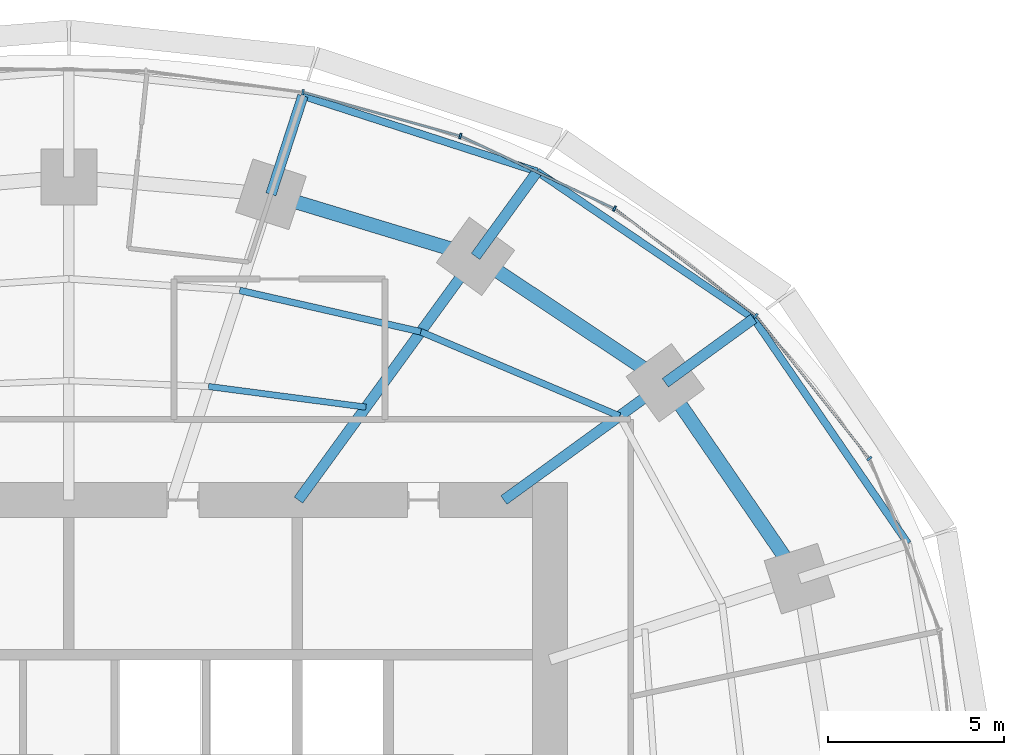
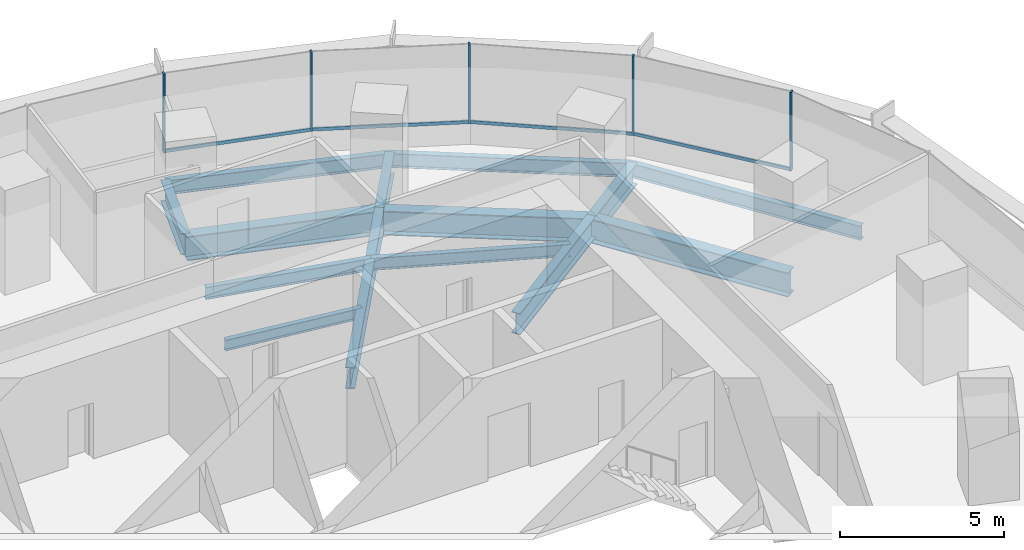
# One storey, part 8 of 14: 14 beams, 9 members, 2 elements without a shape of their own.
"""IFC4 building model written with IfcOpenShell, lengths in metres."""

from ifc_helpers import new_model, si_unit, direction, frame, origin, origin_2d, place, context, subcontext, project, spatial, rectangle, i_section, extrude, material, material_profile, profile_set, type_object, element, aggregate, save


model = new_model("IFC4")

# Units and contexts
model_context = context("Model", 3, precision=1e-05, world=origin(), true_north=direction((0.0, 1.0)))
body_context = subcontext(model_context, "Body", "Model", "MODEL_VIEW")
ifc_project = project(units=[si_unit("LENGTHUNIT", "METRE"), si_unit("AREAUNIT", "SQUARE_METRE"), si_unit("VOLUMEUNIT", "CUBIC_METRE"), si_unit("PLANEANGLEUNIT", "RADIAN"), si_unit("MASSUNIT", "GRAM", prefix="KILO")], contexts=[model_context])

# Site, building, storey
site_placement = place(None, origin())
site = spatial("IfcSite", under=ifc_project, at=site_placement, CompositionType="ELEMENT")
building_placement = place(site_placement, origin())
building = spatial("IfcBuilding", under=site, at=building_placement, Name="Marramba Exchange Tower", CompositionType="ELEMENT")
storey_placement = place(building_placement, frame((0.0, 0.0, 108.0)))
storey = spatial("IfcBuildingStorey", under=building, at=storey_placement, Name="L25", CompositionType="ELEMENT", Elevation=108.0)

# Beams
ifc_material_1 = material(Name="Steel AS/NZS 3679.2 grade 300", Category="steel")
ifc_material_profile_1 = material_profile(ifc_material_1, i_section(OverallWidth=0.300048828125, OverallDepth=0.800048828125, WebThickness=0.013916015625, FlangeThickness=0.031982421875, at=origin_2d()), Name="800WB192")
ifc_profile_set_1 = profile_set([ifc_material_profile_1], Name="Steel AS/NZS 3679.2 grade 300")
beam_type_1 = type_object("IfcBeamType", Name="Cantilever girder 800WB192", PredefinedType="BEAM", material=ifc_profile_set_1)
beam_1_placement = place(storey_placement, frame((16.98583984375, 12.3408203125, -0.56005859375), z_axis=(0.809013970709, 0.58778941399, 0.0), x_axis=(-0.58778941399, 0.809013970709, 0.0)))
element("IfcBeam", 1, at=beam_1_placement, inside=storey, type_object=beam_type_1, Name="Cantilever girder L25 TC03", PredefinedType="BEAM", context=body_context, shape_type="SweptSolid", body=[
    extrude(i_section(OverallWidth=0.300048828125, OverallDepth=0.800048828125, WebThickness=0.013916015625, FlangeThickness=0.031982421875, at=origin_2d()), origin(), (0.0, 0.0, 1.0), 3.1142578125),
])
beam_2_placement = place(storey_placement, frame((11.581298828125, 15.9404296875, -0.56005859375), z_axis=(0.587821738214, 0.808990484544, 0.0), x_axis=(-0.808990484544, 0.587821738214, 0.0)))
element("IfcBeam", 2, at=beam_2_placement, inside=storey, type_object=beam_type_1, Name="Cantilever girder L25 TC04", PredefinedType="BEAM", context=body_context, shape_type="SweptSolid", body=[
    extrude(i_section(OverallWidth=0.300048828125, OverallDepth=0.800048828125, WebThickness=0.013916015625, FlangeThickness=0.031982421875, at=origin_2d()), origin(), (0.0, 0.0, 1.0), 2.987060546875),
])
beam_3_placement = place(storey_placement, frame((5.75390625, 17.70849609375, -0.56005859375), z_axis=(0.309018704887, 0.951055960514, 0.0), x_axis=(-0.951055960514, 0.309018704887, 0.0)))
element("IfcBeam", 3, at=beam_3_placement, inside=storey, type_object=beam_type_1, Name="Cantilever girder L25 TC05", PredefinedType="BEAM", context=body_context, shape_type="SweptSolid", body=[
    extrude(i_section(OverallWidth=0.300048828125, OverallDepth=0.800048828125, WebThickness=0.013916015625, FlangeThickness=0.031982421875, at=origin_2d()), origin(), (0.0, 0.0, 1.0), 2.949951171875),
])
ifc_material_2 = material(Name="Steel AS/NZS 3679.1 grade 300", Category="steel")
ifc_material_profile_2 = material_profile(ifc_material_2, i_section(OverallWidth=0.177978515625, OverallDepth=0.406005859375, WebThickness=0.0078125, FlangeThickness=0.0126953125, FilletRadius=0.011474609375, at=origin_2d()), Name="410UB59.7")
ifc_profile_set_2 = profile_set([ifc_material_profile_2], Name="Steel AS/NZS 3679.1 grade 300")
beam_type_2 = type_object("IfcBeamType", Name="Floor joist 410UB59.7", PredefinedType="JOIST", material=ifc_profile_set_2)
beam_4_placement = place(storey_placement, frame((8.4619140625, 11.646728515625, -0.363037109375), z_axis=(-0.991480538255, 0.130254912618, 0.0), x_axis=(-0.130254912618, -0.991480538255, 0.0)))
element("IfcBeam", 4, at=beam_4_placement, inside=storey, type_object=beam_type_2, Name="Joist L25 bay 04 row 1", PredefinedType="JOIST", context=body_context, shape_type="SweptSolid", body=[
    extrude(i_section(OverallWidth=0.177978515625, OverallDepth=0.406005859375, WebThickness=0.0078125, FlangeThickness=0.0126953125, FilletRadius=0.011474609375, at=origin_2d()), origin(), (0.0, 0.0, 1.0), 4.524658203125),
])
ifc_material_profile_3 = material_profile(ifc_material_2, i_section(OverallWidth=0.18994140625, OverallDepth=0.4541015625, WebThickness=0.008544921875, FlangeThickness=0.0126953125, FilletRadius=0.011474609375, at=origin_2d()), Name="460UB67.1")
ifc_profile_set_3 = profile_set([ifc_material_profile_3], Name="Steel AS/NZS 3679.1 grade 300")
beam_type_3 = type_object("IfcBeamType", Name="Floor joist 460UB67.1", PredefinedType="JOIST", material=ifc_profile_set_3)
beam_5_placement = place(storey_placement, frame((15.682373046875, 11.393798828125, -0.386962890625), z_axis=(-0.920674336375, 0.390331610738, 0.0), x_axis=(-0.390331610738, -0.920674336375, 0.0)))
element("IfcBeam", 5, at=beam_5_placement, inside=storey, type_object=beam_type_3, Name="Joist L25 bay 03 row 2", PredefinedType="JOIST", context=body_context, shape_type="SweptSolid", body=[
    extrude(i_section(OverallWidth=0.18994140625, OverallDepth=0.4541015625, WebThickness=0.008544921875, FlangeThickness=0.0126953125, FilletRadius=0.011474609375, at=origin_2d()), origin(), (0.0, 0.0, 1.0), 6.1484375),
])
beam_6_placement = place(storey_placement, frame((10.021728515625, 13.793701171875, -0.386962890625), z_axis=(-0.974859652292, 0.222819788916, 0.0), x_axis=(-0.222819788916, -0.974859652292, 0.0)))
element("IfcBeam", 6, at=beam_6_placement, inside=storey, type_object=beam_type_3, Name="Joist L25 bay 04 row 2", PredefinedType="JOIST", context=body_context, shape_type="SweptSolid", body=[
    extrude(i_section(OverallWidth=0.18994140625, OverallDepth=0.4541015625, WebThickness=0.008544921875, FlangeThickness=0.0126953125, FilletRadius=0.011474609375, at=origin_2d()), origin(), (0.0, 0.0, 1.0), 5.2900390625),
])

# Curtain wall, members
ifc_material_3 = material(Name="Aluminium framing, bronze anodised", Category="aluminium")
curtain_wall_type = type_object("IfcCurtainWallType", Name="Office ribbon curtain wall", PredefinedType="USERDEFINED", material=ifc_material_3)
curtain_wall_1_placement = place(storey_placement, origin())
curtain_wall_1 = element("IfcCurtainWall", 7, at=curtain_wall_1_placement, inside=storey, type_object=curtain_wall_type, Name="Curtain wall CW4 L25 F01-F05", ObjectType="RIBBON CURTAIN WALL", PredefinedType="USERDEFINED")
ifc_material_4 = material(Name="Aluminium mullion, bronze anodised", Category="aluminium")
ifc_material_profile_4 = material_profile(ifc_material_4, rectangle(XDim=0.159912109375, YDim=0.06005859375, at=origin_2d()), Name="CW4 mullion 60x160")
ifc_profile_set_4 = profile_set([ifc_material_profile_4], Name="Aluminium mullion, bronze anodised")
member_type_1 = type_object("IfcMemberType", Name="Office ribbon curtain wall mullion", PredefinedType="MULLION", material=ifc_profile_set_4)
member_1_placement = place(storey_placement, frame((22.796630859375, 10.181640625, 0.800048828125), z_axis=(0.0, 0.0, 1.0), x_axis=(-0.783563266703, -0.621312004611, 0.0)))
member_1 = element("IfcMember", 8, at=member_1_placement, type_object=member_type_1, Name="CW4 mullion 1", PredefinedType="MULLION", context=body_context, shape_type="SweptSolid", body=[
    extrude(rectangle(XDim=0.159912109375, YDim=0.06005859375, at=origin_2d()), origin(), (0.0, 0.0, 1.0), 2.93994140625),
])
member_2_placement = place(storey_placement, frame((19.5625, 14.24853515625, 0.800048828125), z_axis=(0.0, 0.0, 1.0), x_axis=(-0.60533377223, -0.795971748366, 0.0)))
member_2 = element("IfcMember", 9, at=member_2_placement, type_object=member_type_1, Name="CW4 mullion 1", PredefinedType="MULLION", context=body_context, shape_type="SweptSolid", body=[
    extrude(rectangle(XDim=0.159912109375, YDim=0.06005859375, at=origin_2d()), origin(), (0.0, 0.0, 1.0), 2.93994140625),
])
member_3_placement = place(storey_placement, frame((15.538818359375, 17.300537109375, 0.800048828125), z_axis=(0.0, 0.0, 1.0), x_axis=(-0.426678995157, -0.904403137485, 0.0)))
member_3 = element("IfcMember", 10, at=member_3_placement, type_object=member_type_1, Name="CW4 mullion 1", PredefinedType="MULLION", context=body_context, shape_type="SweptSolid", body=[
    extrude(rectangle(XDim=0.159912109375, YDim=0.06005859375, at=origin_2d()), origin(), (0.0, 0.0, 1.0), 2.93994140625),
])

curtain_wall_2_placement = place(storey_placement, origin())
curtain_wall_2 = element("IfcCurtainWall", 11, at=curtain_wall_2_placement, inside=storey, type_object=curtain_wall_type, Name="Curtain wall CW4 L25 F06-F10", ObjectType="RIBBON CURTAIN WALL", PredefinedType="USERDEFINED")
member_4_placement = place(storey_placement, frame((11.147705078125, 19.366455078125, 0.800048828125), z_axis=(0.0, 0.0, 1.0), x_axis=(-0.268865090816, -0.963177845956, 0.0)))
member_4 = element("IfcMember", 12, at=member_4_placement, type_object=member_type_1, Name="CW4 mullion 1", PredefinedType="MULLION", context=body_context, shape_type="SweptSolid", body=[
    extrude(rectangle(XDim=0.159912109375, YDim=0.06005859375, at=origin_2d()), origin(), (0.0, 0.0, 1.0), 2.93994140625),
])
member_5_placement = place(storey_placement, frame((6.66650390625, 20.61328125, 0.800048828125), z_axis=(0.0, 0.0, 1.0), x_axis=(-0.135785837319, -0.990738212841, 0.0)))
member_5 = element("IfcMember", 13, at=member_5_placement, type_object=member_type_1, Name="CW4 mullion 1", PredefinedType="MULLION", context=body_context, shape_type="SweptSolid", body=[
    extrude(rectangle(XDim=0.159912109375, YDim=0.06005859375, at=origin_2d()), origin(), (0.0, 0.0, 1.0), 2.93994140625),
])

# Member
ifc_material_5 = material(Name="Aluminium transom, bronze anodised", Category="aluminium")
ifc_material_profile_5 = material_profile(ifc_material_5, rectangle(XDim=0.06005859375, YDim=0.1201171875, at=origin_2d()), Name="CW4 transom 60x120")
ifc_profile_set_5 = profile_set([ifc_material_profile_5], Name="Aluminium transom, bronze anodised")
member_type_2 = type_object("IfcMemberType", Name="Office ribbon curtain wall transom", PredefinedType="USERDEFINED", material=ifc_profile_set_5)
member_6_placement = place(storey_placement, frame((22.778076171875, 10.205078125, 0.830078125), z_axis=(-0.621339379472, 0.783541559534, 0.0), x_axis=(-0.783541559534, -0.621339379472, 0.0)))
member_6 = element("IfcMember", 14, at=member_6_placement, type_object=member_type_2, Name="CW4 sill transom", ObjectType="TRANSOM", PredefinedType="USERDEFINED", context=body_context, shape_type="SweptSolid", body=[
    extrude(rectangle(XDim=0.06005859375, YDim=0.1201171875, at=origin_2d()), origin(), (0.0, 0.0, 1.0), 5.13720703125),
])

member_7_placement = place(storey_placement, frame((19.53857421875, 14.2666015625, 0.830078125), z_axis=(-0.7959906025, 0.605308979556, 0.0), x_axis=(-0.605308979556, -0.7959906025, 0.0)))
member_7 = element("IfcMember", 15, at=member_7_placement, type_object=member_type_2, Name="CW4 sill transom", ObjectType="TRANSOM", PredefinedType="USERDEFINED", context=body_context, shape_type="SweptSolid", body=[
    extrude(rectangle(XDim=0.06005859375, YDim=0.1201171875, at=origin_2d()), origin(), (0.0, 0.0, 1.0), 4.99072265625),
])

member_8_placement = place(storey_placement, frame((15.51171875, 17.313232421875, 0.830078125), z_axis=(-0.904410826824, 0.426662696193, 0.0), x_axis=(-0.426662696193, -0.904410826824, 0.0)))
member_8 = element("IfcMember", 16, at=member_8_placement, type_object=member_type_2, Name="CW4 sill transom", ObjectType="TRANSOM", PredefinedType="USERDEFINED", context=body_context, shape_type="SweptSolid", body=[
    extrude(rectangle(XDim=0.06005859375, YDim=0.1201171875, at=origin_2d()), origin(), (0.0, 0.0, 1.0), 4.79345703125),
])

aggregate(curtain_wall_1, [member_1, member_6, member_2, member_7, member_3, member_8])

member_9_placement = place(storey_placement, frame((11.118896484375, 19.37451171875, 0.830078125), z_axis=(-0.963173567938, 0.268880415847, 0.0), x_axis=(-0.268880415847, -0.963173567938, 0.0)))
member_9 = element("IfcMember", 17, at=member_9_placement, type_object=member_type_2, Name="CW4 sill transom", ObjectType="TRANSOM", PredefinedType="USERDEFINED", context=body_context, shape_type="SweptSolid", body=[
    extrude(rectangle(XDim=0.06005859375, YDim=0.1201171875, at=origin_2d()), origin(), (0.0, 0.0, 1.0), 4.591796875),
])

aggregate(curtain_wall_2, [member_4, member_9, member_5])

# Beams
ifc_material_profile_6 = material_profile(ifc_material_1, i_section(OverallWidth=0.300048828125, OverallDepth=0.800048828125, WebThickness=0.013916015625, FlangeThickness=0.031982421875, at=origin_2d()), Name="800WB192")
ifc_profile_set_6 = profile_set([ifc_material_profile_6], Name="Steel AS/NZS 3679.2 grade 300")
beam_type_4 = type_object("IfcBeamType", Name="Radial girder 800WB192", PredefinedType="BEAM", material=ifc_profile_set_6)
beam_7_placement = place(storey_placement, frame((12.387451171875, 9.0, -0.56005859375), z_axis=(0.809025746925, 0.587773205252, 0.0), x_axis=(-0.587773205252, 0.809025746925, 0.0)))
element("IfcBeam", 18, at=beam_7_placement, inside=storey, type_object=beam_type_4, Name="Radial girder L25 TC03", PredefinedType="BEAM", context=body_context, shape_type="SweptSolid", body=[
    extrude(i_section(OverallWidth=0.300048828125, OverallDepth=0.800048828125, WebThickness=0.013916015625, FlangeThickness=0.031982421875, at=origin_2d()), origin(), (0.0, 0.0, 1.0), 5.683837890625),
])
beam_8_placement = place(storey_placement, frame((6.538818359375, 9.0, -0.56005859375), z_axis=(0.587782439969, 0.80901903764, 0.0), x_axis=(-0.80901903764, 0.587782439969, 0.0)))
element("IfcBeam", 19, at=beam_8_placement, inside=storey, type_object=beam_type_4, Name="Radial girder L25 TC04", PredefinedType="BEAM", context=body_context, shape_type="SweptSolid", body=[
    extrude(i_section(OverallWidth=0.300048828125, OverallDepth=0.800048828125, WebThickness=0.013916015625, FlangeThickness=0.031982421875, at=origin_2d()), origin(), (0.0, 0.0, 1.0), 8.578857421875),
])
ifc_material_profile_7 = material_profile(ifc_material_1, i_section(OverallWidth=0.39990234375, OverallDepth=0.89990234375, WebThickness=0.01611328125, FlangeThickness=0.031982421875, at=origin_2d()), Name="900WB282")
ifc_profile_set_7 = profile_set([ifc_material_profile_7], Name="Steel AS/NZS 3679.2 grade 300")
beam_type_5 = type_object("IfcBeamType", Name="Ring beam 900WB282", PredefinedType="SPANDREL", material=ifc_profile_set_7)
beam_9_placement = place(storey_placement, frame((20.808349609375, 6.760986328125, -0.610107421875), z_axis=(-0.56516002054, 0.824981303535, 0.0), x_axis=(-0.824981303535, -0.56516002054, 0.0)))
element("IfcBeam", 20, at=beam_9_placement, inside=storey, type_object=beam_type_5, Name="Ring beam L25 TC02-TC03", PredefinedType="SPANDREL", context=body_context, shape_type="SweptSolid", body=[
    extrude(i_section(OverallWidth=0.39990234375, OverallDepth=0.89990234375, WebThickness=0.01611328125, FlangeThickness=0.031982421875, at=origin_2d()), origin(), (0.0, 0.0, 1.0), 6.763671875),
])
beam_10_placement = place(storey_placement, frame((16.98583984375, 12.3408203125, -0.610107421875), z_axis=(-0.832293151443, 0.554335737673, 0.0), x_axis=(-0.554335737673, -0.832293151443, 0.0)))
element("IfcBeam", 21, at=beam_10_placement, inside=storey, type_object=beam_type_5, Name="Ring beam L25 TC03-TC04", PredefinedType="SPANDREL", context=body_context, shape_type="SweptSolid", body=[
    extrude(i_section(OverallWidth=0.39990234375, OverallDepth=0.89990234375, WebThickness=0.01611328125, FlangeThickness=0.031982421875, at=origin_2d()), origin(), (0.0, 0.0, 1.0), 6.49365234375),
])
beam_11_placement = place(storey_placement, frame((11.581298828125, 15.9404296875, -0.610107421875), z_axis=(-0.956924542524, 0.290336735387, 0.0), x_axis=(-0.290336735387, -0.956924542524, 0.0)))
element("IfcBeam", 22, at=beam_11_placement, inside=storey, type_object=beam_type_5, Name="Ring beam L25 TC04-TC05", PredefinedType="SPANDREL", context=body_context, shape_type="SweptSolid", body=[
    extrude(i_section(OverallWidth=0.39990234375, OverallDepth=0.89990234375, WebThickness=0.01611328125, FlangeThickness=0.031982421875, at=origin_2d()), origin(), (0.0, 0.0, 1.0), 6.089599609375),
])
ifc_material_profile_8 = material_profile(ifc_material_2, i_section(OverallWidth=0.208984375, OverallDepth=0.528076171875, WebThickness=0.009521484375, FlangeThickness=0.01318359375, FilletRadius=0.013916015625, at=origin_2d()), Name="530UB82.0")
ifc_profile_set_8 = profile_set([ifc_material_profile_8], Name="Steel AS/NZS 3679.1 grade 300")
beam_type_6 = type_object("IfcBeamType", Name="Slab edge beam 530UB82.0", PredefinedType="SPANDREL", material=ifc_profile_set_8)
beam_12_placement = place(storey_placement, frame((23.89501953125, 7.763916015625, -0.424072265625), z_axis=(-0.56517400038, 0.824971726361, 0.0), x_axis=(-0.824971726361, -0.56517400038, 0.0)))
element("IfcBeam", 23, at=beam_12_placement, inside=storey, type_object=beam_type_6, Name="Slab edge beam L25 TC02-TC03", PredefinedType="SPANDREL", context=body_context, shape_type="SweptSolid", body=[
    extrude(i_section(OverallWidth=0.208984375, OverallDepth=0.528076171875, WebThickness=0.009521484375, FlangeThickness=0.01318359375, FilletRadius=0.013916015625, at=origin_2d()), origin(), (0.0, 0.0, 1.0), 7.766845703125),
])
beam_13_placement = place(storey_placement, frame((19.50537109375, 14.17138671875, -0.424072265625), z_axis=(-0.827477404833, 0.561499015574, 0.0), x_axis=(-0.561499015574, -0.827477404833, 0.0)))
element("IfcBeam", 24, at=beam_13_placement, inside=storey, type_object=beam_type_6, Name="Slab edge beam L25 TC03-TC04", PredefinedType="SPANDREL", context=body_context, shape_type="SweptSolid", body=[
    extrude(i_section(OverallWidth=0.208984375, OverallDepth=0.528076171875, WebThickness=0.009521484375, FlangeThickness=0.01318359375, FilletRadius=0.013916015625, at=origin_2d()), origin(), (0.0, 0.0, 1.0), 7.454345703125),
])
beam_14_placement = place(storey_placement, frame((13.337158203125, 18.35693359375, -0.424072265625), z_axis=(-0.951496392577, 0.307659901373, 0.0), x_axis=(-0.307659901373, -0.951496392577, 0.0)))
element("IfcBeam", 25, at=beam_14_placement, inside=storey, type_object=beam_type_6, Name="Slab edge beam L25 TC04-TC05", PredefinedType="SPANDREL", context=body_context, shape_type="SweptSolid", body=[
    extrude(i_section(OverallWidth=0.208984375, OverallDepth=0.528076171875, WebThickness=0.009521484375, FlangeThickness=0.01318359375, FilletRadius=0.013916015625, at=origin_2d()), origin(), (0.0, 0.0, 1.0), 7.01171875),
])

save(model, "model.ifc")
